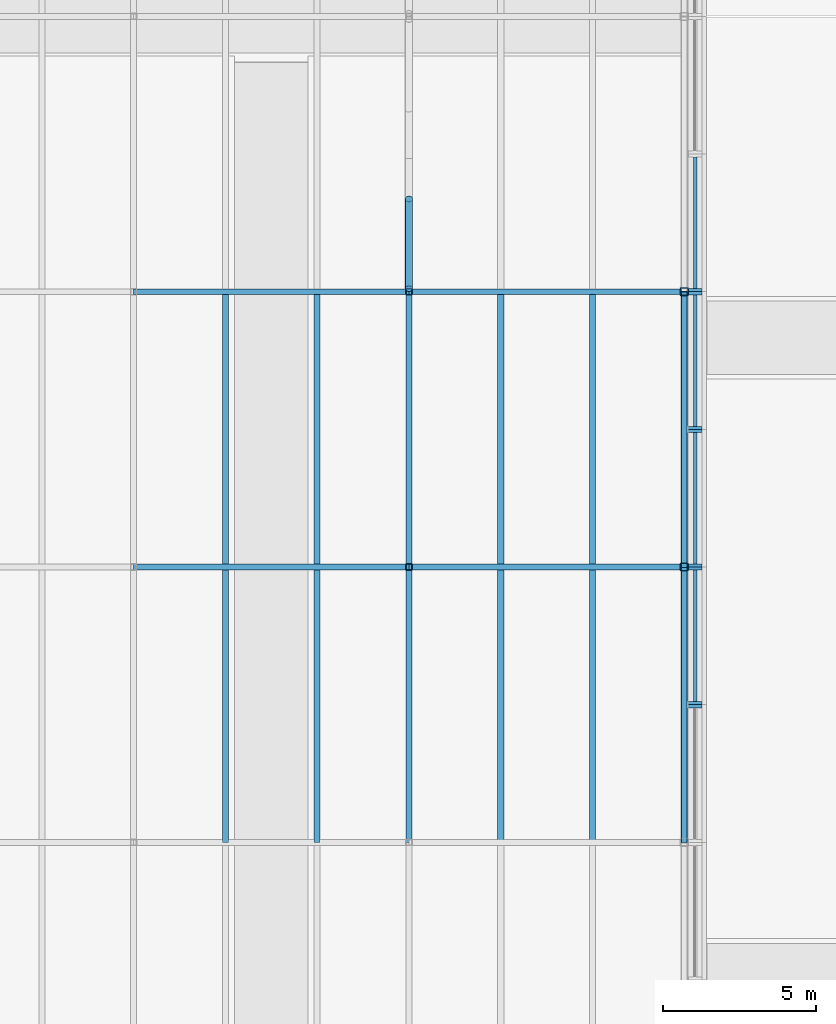
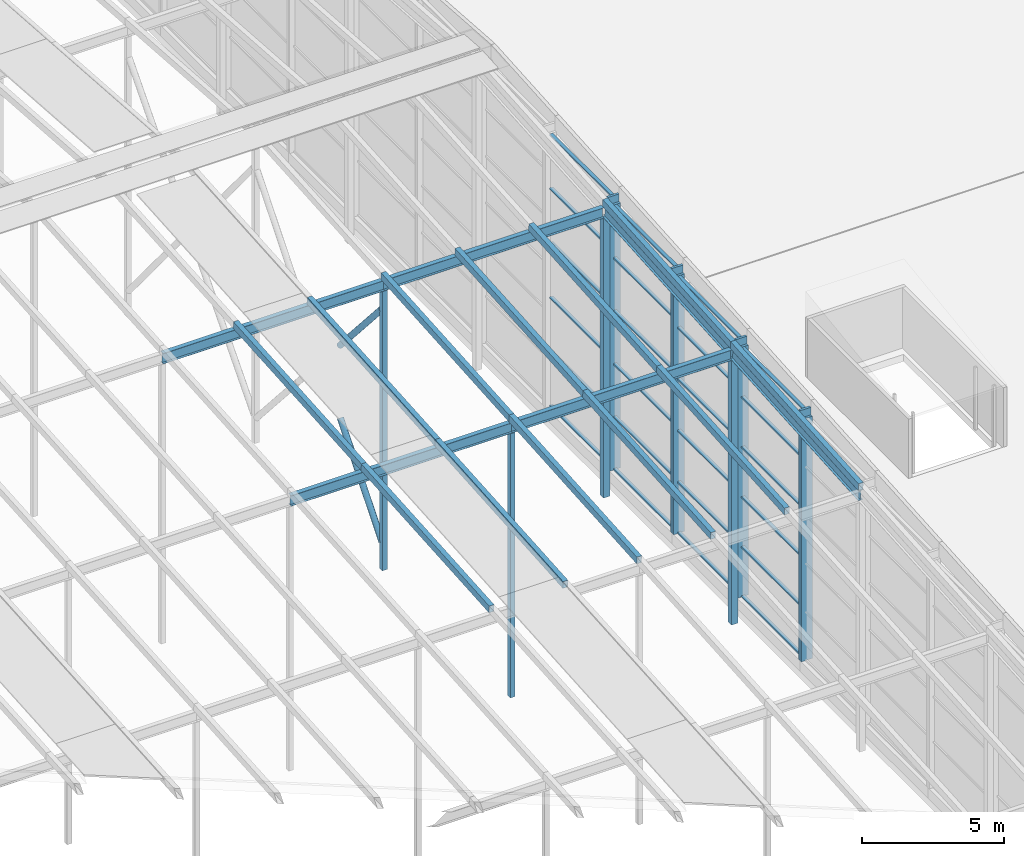
# One storey, part 27 of 84: 50 members, 6 beams, 5 elements without a shape of their own.
"""IFC4 building model written with IfcOpenShell, lengths in metres."""

from ifc_helpers import new_model, si_unit, direction, frame, origin, origin_2d, place, context, subcontext, project, spatial, rectangle, hollow_rectangle, hollow_circle, i_section, extrude, material, material_profile, profile_set, type_object, element, aggregate, save


model = new_model("IFC4")

# Units and contexts
model_context = context("Model", 3, precision=1e-05, world=origin(), true_north=direction((0.0, 1.0)))
body_context = subcontext(model_context, "Body", "Model", "MODEL_VIEW")
ifc_project = project(units=[si_unit("LENGTHUNIT", "METRE"), si_unit("AREAUNIT", "SQUARE_METRE"), si_unit("VOLUMEUNIT", "CUBIC_METRE"), si_unit("PLANEANGLEUNIT", "RADIAN"), si_unit("MASSUNIT", "GRAM", prefix="KILO")], contexts=[model_context])

# Site, building, storey
site_placement = place(None, origin())
site = spatial("IfcSite", under=ifc_project, at=site_placement, CompositionType="ELEMENT")
building_placement = place(site_placement, origin())
building = spatial("IfcBuilding", under=site, at=building_placement, Name="Silverbay Arena", CompositionType="ELEMENT")
storey_placement = place(building_placement, frame((0.0, 0.0, 47.10009765625)))
storey = spatial("IfcBuildingStorey", under=building, at=storey_placement, Name="ROOF", CompositionType="ELEMENT", Elevation=47.10009765625)

# Curtain wall, member
ifc_material_1 = material(Name="Aluminium framed glazing", Category="aluminium")
curtain_wall_type_1 = type_object("IfcCurtainWallType", Name="Curtain wall crown 4500 x 10400", PredefinedType="NOTDEFINED", material=ifc_material_1)
curtain_wall_1_placement = place(storey_placement, origin())
curtain_wall_1 = element("IfcCurtainWall", 1, at=curtain_wall_1_placement, inside=storey, type_object=curtain_wall_type_1, Name="ROOF CROWN CURTAIN WALL east bay 08", PredefinedType="NOTDEFINED")
ifc_material_2 = material(Name="Aluminium", Category="aluminium")
ifc_material_profile_1 = material_profile(ifc_material_2, rectangle(XDim=0.449951171875, YDim=0.10009765625, at=origin_2d()), Name="Mullion 100 x 450")
ifc_profile_set_1 = profile_set([ifc_material_profile_1], Name="Aluminium")
member_type_1 = type_object("IfcMemberType", Name="Mullion 100 x 450", PredefinedType="MULLION", material=ifc_profile_set_1)
placement = place(building_placement, frame((0.0, 0.0, 33.5)))
member_1_placement = place(placement, frame((180.35009765625, 58.449951171875, 14.050048828125), z_axis=(0.0, 0.0, 1.0), x_axis=(-1.0, 0.0, 0.0)))
member_1 = element("IfcMember", 2, at=member_1_placement, type_object=member_type_1, Name="CW70 mullion 2", PredefinedType="MULLION", context=body_context, shape_type="SweptSolid", body=[
    extrude(rectangle(XDim=0.449951171875, YDim=0.10009765625, at=origin_2d()), origin(), (0.0, 0.0, 1.0), 10.39990234375),
])
aggregate(curtain_wall_1, [member_1])

# Curtain wall, members
ifc_material_3 = material(Name="Aluminium framed glazing", Category="aluminium")
curtain_wall_type_2 = type_object("IfcCurtainWallType", Name="Curtain wall crown 4500 x 10725", PredefinedType="NOTDEFINED", material=ifc_material_3)
curtain_wall_2_placement = place(storey_placement, origin())
curtain_wall_2 = element("IfcCurtainWall", 3, at=curtain_wall_2_placement, inside=storey, type_object=curtain_wall_type_2, Name="ROOF CROWN CURTAIN WALL east bay 09", PredefinedType="NOTDEFINED")
member_2_placement = place(placement, frame((180.35009765625, 58.550048828125, 14.050048828125), z_axis=(0.0, 0.0, 1.0), x_axis=(-1.0, 0.0, 0.0)))
member_2 = element("IfcMember", 4, at=member_2_placement, type_object=member_type_1, Name="CW71 mullion 1", PredefinedType="MULLION", context=body_context, shape_type="SweptSolid", body=[
    extrude(rectangle(XDim=0.449951171875, YDim=0.10009765625, at=origin_2d()), origin(), (0.0, 0.0, 1.0), 10.724853515625),
])
member_3_placement = place(placement, frame((180.35009765625, 62.949951171875, 14.050048828125), z_axis=(0.0, 0.0, 1.0), x_axis=(-1.0, 0.0, 0.0)))
member_3 = element("IfcMember", 5, at=member_3_placement, type_object=member_type_1, Name="CW71 mullion 2", PredefinedType="MULLION", context=body_context, shape_type="SweptSolid", body=[
    extrude(rectangle(XDim=0.449951171875, YDim=0.10009765625, at=origin_2d()), origin(), (0.0, 0.0, 1.0), 10.724853515625),
])

ifc_material_4 = material(Name="Aluminium framed glazing", Category="aluminium")
curtain_wall_type_3 = type_object("IfcCurtainWallType", Name="Curtain wall crown 4500 x 11050", PredefinedType="NOTDEFINED", material=ifc_material_4)
curtain_wall_3_placement = place(storey_placement, origin())
curtain_wall_3 = element("IfcCurtainWall", 6, at=curtain_wall_3_placement, inside=storey, type_object=curtain_wall_type_3, Name="ROOF CROWN CURTAIN WALL east bay 10", PredefinedType="NOTDEFINED")
member_4_placement = place(placement, frame((180.35009765625, 63.050048828125, 14.050048828125), z_axis=(0.0, 0.0, 1.0), x_axis=(-1.0, 0.0, 0.0)))
member_4 = element("IfcMember", 7, at=member_4_placement, type_object=member_type_1, Name="CW72 mullion 1", PredefinedType="MULLION", context=body_context, shape_type="SweptSolid", body=[
    extrude(rectangle(XDim=0.449951171875, YDim=0.10009765625, at=origin_2d()), origin(), (0.0, 0.0, 1.0), 11.050048828125),
])
member_5_placement = place(placement, frame((180.35009765625, 67.449951171875, 14.050048828125), z_axis=(0.0, 0.0, 1.0), x_axis=(-1.0, 0.0, 0.0)))
member_5 = element("IfcMember", 8, at=member_5_placement, type_object=member_type_1, Name="CW72 mullion 2", PredefinedType="MULLION", context=body_context, shape_type="SweptSolid", body=[
    extrude(rectangle(XDim=0.449951171875, YDim=0.10009765625, at=origin_2d()), origin(), (0.0, 0.0, 1.0), 11.050048828125),
])

ifc_material_5 = material(Name="Aluminium framed glazing", Category="aluminium")
curtain_wall_type_4 = type_object("IfcCurtainWallType", Name="Curtain wall crown 4500 x 11375", PredefinedType="NOTDEFINED", material=ifc_material_5)
curtain_wall_4_placement = place(storey_placement, origin())
curtain_wall_4 = element("IfcCurtainWall", 9, at=curtain_wall_4_placement, inside=storey, type_object=curtain_wall_type_4, Name="ROOF CROWN CURTAIN WALL east bay 11", PredefinedType="NOTDEFINED")
member_6_placement = place(placement, frame((180.35009765625, 67.550048828125, 14.050048828125), z_axis=(0.0, 0.0, 1.0), x_axis=(-1.0, 0.0, 0.0)))
member_6 = element("IfcMember", 10, at=member_6_placement, type_object=member_type_1, Name="CW73 mullion 1", PredefinedType="MULLION", context=body_context, shape_type="SweptSolid", body=[
    extrude(rectangle(XDim=0.449951171875, YDim=0.10009765625, at=origin_2d()), origin(), (0.0, 0.0, 1.0), 11.375),
])
member_7_placement = place(placement, frame((180.35009765625, 71.949951171875, 14.050048828125), z_axis=(0.0, 0.0, 1.0), x_axis=(-1.0, 0.0, 0.0)))
member_7 = element("IfcMember", 11, at=member_7_placement, type_object=member_type_1, Name="CW73 mullion 2", PredefinedType="MULLION", context=body_context, shape_type="SweptSolid", body=[
    extrude(rectangle(XDim=0.449951171875, YDim=0.10009765625, at=origin_2d()), origin(), (0.0, 0.0, 1.0), 11.375),
])

# Curtain wall, member
ifc_material_6 = material(Name="Aluminium framed glazing", Category="aluminium")
curtain_wall_type_5 = type_object("IfcCurtainWallType", Name="Curtain wall crown 4500 x 11700", PredefinedType="NOTDEFINED", material=ifc_material_6)
curtain_wall_5_placement = place(storey_placement, origin())
curtain_wall_5 = element("IfcCurtainWall", 12, at=curtain_wall_5_placement, inside=storey, type_object=curtain_wall_type_5, Name="ROOF CROWN CURTAIN WALL east bay 12", PredefinedType="NOTDEFINED")
member_8_placement = place(placement, frame((180.35009765625, 72.050048828125, 14.050048828125), z_axis=(0.0, 0.0, 1.0), x_axis=(-1.0, 0.0, 0.0)))
member_8 = element("IfcMember", 13, at=member_8_placement, type_object=member_type_1, Name="CW74 mullion 1", PredefinedType="MULLION", context=body_context, shape_type="SweptSolid", body=[
    extrude(rectangle(XDim=0.449951171875, YDim=0.10009765625, at=origin_2d()), origin(), (0.0, 0.0, 1.0), 11.699951171875),
])

# Members
ifc_material_7 = material(Name="Steel S355", Category="steel")
ifc_material_profile_2 = material_profile(ifc_material_7, hollow_rectangle(XDim=0.199951171875, YDim=0.300048828125, WallThickness=0.00634765625, at=origin_2d()), Name="RHS 300x200x6.3")
ifc_profile_set_2 = profile_set([ifc_material_profile_2], Name="Steel S355")
member_type_2 = type_object("IfcMemberType", Name="Purlin RHS 300x200x6.3", PredefinedType="PURLIN", material=ifc_profile_set_2)
for number, where, z_axis, x_axis, name in (
    (14, (165.0, 54.0, 10.699462890625), (0.0, 0.997400967367, 0.07205074805), (-1.0, 0.0, 0.0), "ROOF PURLIN crown line 29 bay 04"),
    (15, (165.0, 63.0, 11.349609375), (0.0, 0.997402911363, 0.072023832195), (-1.0, 0.0, 0.0), "ROOF PURLIN crown line 29 bay 05"),
    (16, (168.0, 54.0, 10.699462890625), (0.0, 0.997400967367, 0.07205074805), (-1.0, 0.0, 0.0), "ROOF PURLIN crown line 30 bay 04"),
    (17, (168.0, 63.0, 11.349609375), (0.0, 0.997402911363, 0.072023832195), (-1.0, 0.0, 0.0), "ROOF PURLIN crown line 30 bay 05"),
    (18, (171.0, 54.0, 10.699462890625), (0.0, 0.997400967367, 0.07205074805), (-1.0, 0.0, 0.0), "ROOF PURLIN crown line 31 bay 04"),
    (19, (171.0, 63.0, 11.349609375), (0.0, 0.997402911363, 0.072023832195), (-1.0, 0.0, 0.0), "ROOF PURLIN crown line 31 bay 05"),
    (20, (174.0, 54.0, 10.699462890625), (0.0, 0.997400967367, 0.07205074805), (-1.0, 0.0, 0.0), "ROOF PURLIN crown line 32 bay 04"),
    (21, (174.0, 63.0, 11.349609375), (0.0, 0.997402911363, 0.072023832195), (-1.0, 0.0, 0.0), "ROOF PURLIN crown line 32 bay 05"),
    (22, (177.0, 54.0, 10.699462890625), (0.0, 0.997400967367, 0.07205074805), (-1.0, 0.0, 0.0), "ROOF PURLIN crown line 33 bay 04"),
    (23, (177.0, 63.0, 11.349609375), (0.0, 0.997402911363, 0.072023832195), (-1.0, 0.0, 0.0), "ROOF PURLIN crown line 33 bay 05"),
):
    element("IfcMember", number, at=place(storey_placement, frame(where, z_axis=z_axis, x_axis=x_axis)), inside=storey, type_object=member_type_2, Name=name, PredefinedType="PURLIN", context=body_context, shape_type="SweptSolid", body=[
        extrude(hollow_rectangle(XDim=0.199951171875, YDim=0.300048828125, WallThickness=0.00634765625, at=origin_2d()), origin(), (0.0, 0.0, 1.0), 9.0234375),
    ])
ifc_material_8 = material(Name="Steel S355", Category="steel")
ifc_material_profile_3 = material_profile(ifc_material_8, hollow_rectangle(XDim=0.199951171875, YDim=0.300048828125, WallThickness=0.008056640625, at=origin_2d()), Name="RHS 300x200x8")
ifc_profile_set_3 = profile_set([ifc_material_profile_3], Name="Steel S355")
member_type_3 = type_object("IfcMemberType", Name="Purlin RHS 300x200x8", PredefinedType="PURLIN", material=ifc_profile_set_3)
for number, where, z_axis, x_axis, name in (
    (24, (180.0, 54.0, 10.699462890625), (0.0, 0.997400967367, 0.07205074805), (-1.0, 0.0, 0.0), "ROOF PURLIN crown line 34 bay 04"),
    (25, (180.0, 63.0, 11.349609375), (0.0, 0.997402911363, 0.072023832195), (-1.0, 0.0, 0.0), "ROOF PURLIN crown line 34 bay 05"),
):
    element("IfcMember", number, at=place(storey_placement, frame(where, z_axis=z_axis, x_axis=x_axis)), inside=storey, type_object=member_type_3, Name=name, PredefinedType="PURLIN", context=body_context, shape_type="SweptSolid", body=[
        extrude(hollow_rectangle(XDim=0.199951171875, YDim=0.300048828125, WallThickness=0.008056640625, at=origin_2d()), origin(), (0.0, 0.0, 1.0), 9.0234375),
    ])

# Beams
ifc_material_9 = material(Name="Steel S355", Category="steel")
ifc_material_profile_4 = material_profile(ifc_material_9, i_section(OverallWidth=0.18994140625, OverallDepth=0.453369140625, WebThickness=0.008544921875, FlangeThickness=0.0126953125, at=origin_2d()), Name="UB 457x191x67")
ifc_profile_set_4 = profile_set([ifc_material_profile_4], Name="Steel S355")
beam_type = type_object("IfcBeamType", Name="Ring beam UB 457x191x67", PredefinedType="BEAM", material=ifc_profile_set_4)
beam_1_placement = place(storey_placement, frame((162.0, 63.0, 10.972412109375), z_axis=(1.0, 0.0, 0.0), x_axis=(0.0, 1.0, 0.0)))
element("IfcBeam", 26, at=beam_1_placement, inside=storey, type_object=beam_type, Name="RING BEAM crown row 05 19-20", PredefinedType="BEAM", context=body_context, shape_type="SweptSolid", body=[
    extrude(i_section(OverallWidth=0.18994140625, OverallDepth=0.453369140625, WebThickness=0.008544921875, FlangeThickness=0.0126953125, at=origin_2d()), origin(), (0.0, 0.0, 1.0), 9.0),
])
beam_2_placement = place(storey_placement, frame((171.0, 63.0, 10.972412109375), z_axis=(1.0, 0.0, 0.0), x_axis=(0.0, 1.0, 0.0)))
element("IfcBeam", 27, at=beam_2_placement, inside=storey, type_object=beam_type, Name="RING BEAM crown row 05 20-21", PredefinedType="BEAM", context=body_context, shape_type="SweptSolid", body=[
    extrude(i_section(OverallWidth=0.18994140625, OverallDepth=0.453369140625, WebThickness=0.008544921875, FlangeThickness=0.0126953125, at=origin_2d()), origin(), (0.0, 0.0, 1.0), 8.905029296875),
])
beam_3_placement = place(storey_placement, frame((162.0, 72.0, 11.622314453125), z_axis=(1.0, 0.0, 0.0), x_axis=(0.0, 1.0, 0.0)))
element("IfcBeam", 28, at=beam_3_placement, inside=storey, type_object=beam_type, Name="RING BEAM crown row 06 19-20", PredefinedType="BEAM", context=body_context, shape_type="SweptSolid", body=[
    extrude(i_section(OverallWidth=0.18994140625, OverallDepth=0.453369140625, WebThickness=0.008544921875, FlangeThickness=0.0126953125, at=origin_2d()), origin(), (0.0, 0.0, 1.0), 9.0),
])
beam_4_placement = place(storey_placement, frame((171.0, 72.0, 11.622314453125), z_axis=(1.0, 0.0, 0.0), x_axis=(0.0, 1.0, 0.0)))
element("IfcBeam", 29, at=beam_4_placement, inside=storey, type_object=beam_type, Name="RING BEAM crown row 06 20-21", PredefinedType="BEAM", context=body_context, shape_type="SweptSolid", body=[
    extrude(i_section(OverallWidth=0.18994140625, OverallDepth=0.453369140625, WebThickness=0.008544921875, FlangeThickness=0.0126953125, at=origin_2d()), origin(), (0.0, 0.0, 1.0), 8.905029296875),
])
for number, where, z_axis, x_axis, name in (
    (30, (180.0, 54.0, 10.322509765625), (0.0, 0.997402911363, 0.072023832195), (-1.0, 0.0, 0.0), "RING BEAM crown east edge 04"),
    (31, (180.0, 63.0, 10.972412109375), (0.0, 0.997402911363, 0.072023832195), (-1.0, 0.0, 0.0), "RING BEAM crown east edge 05"),
):
    element("IfcBeam", number, at=place(storey_placement, frame(where, z_axis=z_axis, x_axis=x_axis)), inside=storey, type_object=beam_type, Name=name, PredefinedType="BEAM", context=body_context, shape_type="SweptSolid", body=[
        extrude(i_section(OverallWidth=0.18994140625, OverallDepth=0.453369140625, WebThickness=0.008544921875, FlangeThickness=0.0126953125, at=origin_2d()), origin(), (0.0, 0.0, 1.0), 9.0234375),
    ])

# Members
ifc_material_10 = material(Name="Steel S355", Category="steel")
ifc_material_profile_5 = material_profile(ifc_material_10, hollow_rectangle(XDim=0.199951171875, YDim=0.199951171875, WallThickness=0.008056640625, at=origin_2d()), Name="SHS 200x200x8")
ifc_profile_set_5 = profile_set([ifc_material_profile_5], Name="Steel S355")
member_type_4 = type_object("IfcMemberType", Name="Roof post SHS 200x200x8", PredefinedType="POST", material=ifc_profile_set_5)
member_9_placement = place(storey_placement, frame((171.0, 63.0, -0.60009765625), z_axis=(0.0, 0.0, 1.0), x_axis=(1.0, 0.0, 0.0)))
element("IfcMember", 32, at=member_9_placement, inside=storey, type_object=member_type_4, Name="ROOF CROWN POST 20 row 05", PredefinedType="POST", context=body_context, shape_type="SweptSolid", body=[
    extrude(hollow_rectangle(XDim=0.199951171875, YDim=0.199951171875, WallThickness=0.008056640625, at=origin_2d()), origin(), (0.0, 0.0, 1.0), 11.345703125),
])
member_10_placement = place(storey_placement, frame((171.0, 72.0, -0.60009765625), z_axis=(0.0, 0.0, 1.0), x_axis=(1.0, 0.0, 0.0)))
element("IfcMember", 33, at=member_10_placement, inside=storey, type_object=member_type_4, Name="ROOF CROWN POST 20 row 06", PredefinedType="POST", context=body_context, shape_type="SweptSolid", body=[
    extrude(hollow_rectangle(XDim=0.199951171875, YDim=0.199951171875, WallThickness=0.008056640625, at=origin_2d()), origin(), (0.0, 0.0, 1.0), 11.995849609375),
])
ifc_material_11 = material(Name="Steel S355", Category="steel")
ifc_material_profile_6 = material_profile(ifc_material_11, hollow_rectangle(XDim=0.25, YDim=0.25, WallThickness=0.008056640625, at=origin_2d()), Name="SHS 250x250x8")
ifc_profile_set_6 = profile_set([ifc_material_profile_6], Name="Steel S355")
member_type_5 = type_object("IfcMemberType", Name="Roof post SHS 250x250x8", PredefinedType="POST", material=ifc_profile_set_6)
member_11_placement = place(storey_placement, frame((180.0, 63.0, -0.60009765625), z_axis=(0.0, 0.0, 1.0), x_axis=(1.0, 0.0, 0.0)))
element("IfcMember", 34, at=member_11_placement, inside=storey, type_object=member_type_5, Name="ROOF CROWN POST 21 row 05", PredefinedType="POST", context=body_context, shape_type="SweptSolid", body=[
    extrude(hollow_rectangle(XDim=0.25, YDim=0.25, WallThickness=0.008056640625, at=origin_2d()), origin(), (0.0, 0.0, 1.0), 11.345703125),
])
member_12_placement = place(storey_placement, frame((180.0, 72.0, -0.60009765625), z_axis=(0.0, 0.0, 1.0), x_axis=(1.0, 0.0, 0.0)))
element("IfcMember", 35, at=member_12_placement, inside=storey, type_object=member_type_5, Name="ROOF CROWN POST 21 row 06", PredefinedType="POST", context=body_context, shape_type="SweptSolid", body=[
    extrude(hollow_rectangle(XDim=0.25, YDim=0.25, WallThickness=0.008056640625, at=origin_2d()), origin(), (0.0, 0.0, 1.0), 11.995849609375),
])

# Member
ifc_material_12 = material(Name="Aluminium", Category="aluminium")
ifc_material_profile_7 = material_profile(ifc_material_12, rectangle(XDim=0.139892578125, YDim=0.06005859375, at=origin_2d()), Name="Transom 60 x 140")
ifc_profile_set_7 = profile_set([ifc_material_profile_7], Name="Aluminium")
member_type_6 = type_object("IfcMemberType", Name="Transom 60 x 140", PredefinedType="USERDEFINED", material=ifc_profile_set_7)
member_13_placement = place(placement, frame((180.35009765625, 58.60009765625, 14.080078125), z_axis=(0.0, 1.0, 0.0), x_axis=(-1.0, 0.0, 0.0)))
member_13 = element("IfcMember", 36, at=member_13_placement, type_object=member_type_6, Name="CW71 transom 1.1", ObjectType="TRANSOM", PredefinedType="USERDEFINED", context=body_context, shape_type="SweptSolid", body=[
    extrude(rectangle(XDim=0.139892578125, YDim=0.06005859375, at=origin_2d()), origin(), (0.0, 0.0, 1.0), 4.2998046875),
])

member_14_placement = place(placement, frame((180.35009765625, 58.60009765625, 16.195068359375), z_axis=(0.0, 1.0, 0.0), x_axis=(-1.0, 0.0, 0.0)))
member_14 = element("IfcMember", 37, at=member_14_placement, type_object=member_type_6, Name="CW71 transom 1.2", ObjectType="TRANSOM", PredefinedType="USERDEFINED", context=body_context, shape_type="SweptSolid", body=[
    extrude(rectangle(XDim=0.139892578125, YDim=0.06005859375, at=origin_2d()), origin(), (0.0, 0.0, 1.0), 4.2998046875),
])

member_15_placement = place(placement, frame((180.35009765625, 58.60009765625, 18.340087890625), z_axis=(0.0, 1.0, 0.0), x_axis=(-1.0, 0.0, 0.0)))
member_15 = element("IfcMember", 38, at=member_15_placement, type_object=member_type_6, Name="CW71 transom 1.3", ObjectType="TRANSOM", PredefinedType="USERDEFINED", context=body_context, shape_type="SweptSolid", body=[
    extrude(rectangle(XDim=0.139892578125, YDim=0.06005859375, at=origin_2d()), origin(), (0.0, 0.0, 1.0), 4.2998046875),
])

member_16_placement = place(placement, frame((180.35009765625, 58.60009765625, 20.485107421875), z_axis=(0.0, 1.0, 0.0), x_axis=(-1.0, 0.0, 0.0)))
member_16 = element("IfcMember", 39, at=member_16_placement, type_object=member_type_6, Name="CW71 transom 1.4", ObjectType="TRANSOM", PredefinedType="USERDEFINED", context=body_context, shape_type="SweptSolid", body=[
    extrude(rectangle(XDim=0.139892578125, YDim=0.06005859375, at=origin_2d()), origin(), (0.0, 0.0, 1.0), 4.2998046875),
])

member_17_placement = place(placement, frame((180.35009765625, 58.60009765625, 22.6298828125), z_axis=(0.0, 1.0, 0.0), x_axis=(-1.0, 0.0, 0.0)))
member_17 = element("IfcMember", 40, at=member_17_placement, type_object=member_type_6, Name="CW71 transom 1.5", ObjectType="TRANSOM", PredefinedType="USERDEFINED", context=body_context, shape_type="SweptSolid", body=[
    extrude(rectangle(XDim=0.139892578125, YDim=0.06005859375, at=origin_2d()), origin(), (0.0, 0.0, 1.0), 4.2998046875),
])

member_18_placement = place(placement, frame((180.35009765625, 58.60009765625, 24.7451171875), z_axis=(0.0, 1.0, 0.0), x_axis=(-1.0, 0.0, 0.0)))
member_18 = element("IfcMember", 41, at=member_18_placement, type_object=member_type_6, Name="CW71 transom 1.6", ObjectType="TRANSOM", PredefinedType="USERDEFINED", context=body_context, shape_type="SweptSolid", body=[
    extrude(rectangle(XDim=0.139892578125, YDim=0.06005859375, at=origin_2d()), origin(), (0.0, 0.0, 1.0), 4.2998046875),
])

aggregate(curtain_wall_2, [member_2, member_3, member_13, member_14, member_15, member_16, member_17, member_18])

member_19_placement = place(placement, frame((180.35009765625, 63.10009765625, 14.080078125), z_axis=(0.0, 1.0, 0.0), x_axis=(-1.0, 0.0, 0.0)))
member_19 = element("IfcMember", 42, at=member_19_placement, type_object=member_type_6, Name="CW72 transom 1.1", ObjectType="TRANSOM", PredefinedType="USERDEFINED", context=body_context, shape_type="SweptSolid", body=[
    extrude(rectangle(XDim=0.139892578125, YDim=0.06005859375, at=origin_2d()), origin(), (0.0, 0.0, 1.0), 4.2998046875),
])

member_20_placement = place(placement, frame((180.35009765625, 63.10009765625, 16.260009765625), z_axis=(0.0, 1.0, 0.0), x_axis=(-1.0, 0.0, 0.0)))
member_20 = element("IfcMember", 43, at=member_20_placement, type_object=member_type_6, Name="CW72 transom 1.2", ObjectType="TRANSOM", PredefinedType="USERDEFINED", context=body_context, shape_type="SweptSolid", body=[
    extrude(rectangle(XDim=0.139892578125, YDim=0.06005859375, at=origin_2d()), origin(), (0.0, 0.0, 1.0), 4.2998046875),
])

member_21_placement = place(placement, frame((180.35009765625, 63.10009765625, 18.469970703125), z_axis=(0.0, 1.0, 0.0), x_axis=(-1.0, 0.0, 0.0)))
member_21 = element("IfcMember", 44, at=member_21_placement, type_object=member_type_6, Name="CW72 transom 1.3", ObjectType="TRANSOM", PredefinedType="USERDEFINED", context=body_context, shape_type="SweptSolid", body=[
    extrude(rectangle(XDim=0.139892578125, YDim=0.06005859375, at=origin_2d()), origin(), (0.0, 0.0, 1.0), 4.2998046875),
])

member_22_placement = place(placement, frame((180.35009765625, 63.10009765625, 20.679931640625), z_axis=(0.0, 1.0, 0.0), x_axis=(-1.0, 0.0, 0.0)))
member_22 = element("IfcMember", 45, at=member_22_placement, type_object=member_type_6, Name="CW72 transom 1.4", ObjectType="TRANSOM", PredefinedType="USERDEFINED", context=body_context, shape_type="SweptSolid", body=[
    extrude(rectangle(XDim=0.139892578125, YDim=0.06005859375, at=origin_2d()), origin(), (0.0, 0.0, 1.0), 4.2998046875),
])

member_23_placement = place(placement, frame((180.35009765625, 63.10009765625, 22.889892578125), z_axis=(0.0, 1.0, 0.0), x_axis=(-1.0, 0.0, 0.0)))
member_23 = element("IfcMember", 46, at=member_23_placement, type_object=member_type_6, Name="CW72 transom 1.5", ObjectType="TRANSOM", PredefinedType="USERDEFINED", context=body_context, shape_type="SweptSolid", body=[
    extrude(rectangle(XDim=0.139892578125, YDim=0.06005859375, at=origin_2d()), origin(), (0.0, 0.0, 1.0), 4.2998046875),
])

member_24_placement = place(placement, frame((180.35009765625, 63.10009765625, 25.070068359375), z_axis=(0.0, 1.0, 0.0), x_axis=(-1.0, 0.0, 0.0)))
member_24 = element("IfcMember", 47, at=member_24_placement, type_object=member_type_6, Name="CW72 transom 1.6", ObjectType="TRANSOM", PredefinedType="USERDEFINED", context=body_context, shape_type="SweptSolid", body=[
    extrude(rectangle(XDim=0.139892578125, YDim=0.06005859375, at=origin_2d()), origin(), (0.0, 0.0, 1.0), 4.2998046875),
])

aggregate(curtain_wall_3, [member_4, member_5, member_19, member_20, member_21, member_22, member_23, member_24])

member_25_placement = place(placement, frame((180.35009765625, 67.60009765625, 14.080078125), z_axis=(0.0, 1.0, 0.0), x_axis=(-1.0, 0.0, 0.0)))
member_25 = element("IfcMember", 48, at=member_25_placement, type_object=member_type_6, Name="CW73 transom 1.1", ObjectType="TRANSOM", PredefinedType="USERDEFINED", context=body_context, shape_type="SweptSolid", body=[
    extrude(rectangle(XDim=0.139892578125, YDim=0.06005859375, at=origin_2d()), origin(), (0.0, 0.0, 1.0), 4.2998046875),
])

member_26_placement = place(placement, frame((180.35009765625, 67.60009765625, 16.324951171875), z_axis=(0.0, 1.0, 0.0), x_axis=(-1.0, 0.0, 0.0)))
member_26 = element("IfcMember", 49, at=member_26_placement, type_object=member_type_6, Name="CW73 transom 1.2", ObjectType="TRANSOM", PredefinedType="USERDEFINED", context=body_context, shape_type="SweptSolid", body=[
    extrude(rectangle(XDim=0.139892578125, YDim=0.06005859375, at=origin_2d()), origin(), (0.0, 0.0, 1.0), 4.2998046875),
])

member_27_placement = place(placement, frame((180.35009765625, 67.60009765625, 18.60009765625), z_axis=(0.0, 1.0, 0.0), x_axis=(-1.0, 0.0, 0.0)))
member_27 = element("IfcMember", 50, at=member_27_placement, type_object=member_type_6, Name="CW73 transom 1.3", ObjectType="TRANSOM", PredefinedType="USERDEFINED", context=body_context, shape_type="SweptSolid", body=[
    extrude(rectangle(XDim=0.139892578125, YDim=0.06005859375, at=origin_2d()), origin(), (0.0, 0.0, 1.0), 4.2998046875),
])

member_28_placement = place(placement, frame((180.35009765625, 67.60009765625, 20.875), z_axis=(0.0, 1.0, 0.0), x_axis=(-1.0, 0.0, 0.0)))
member_28 = element("IfcMember", 51, at=member_28_placement, type_object=member_type_6, Name="CW73 transom 1.4", ObjectType="TRANSOM", PredefinedType="USERDEFINED", context=body_context, shape_type="SweptSolid", body=[
    extrude(rectangle(XDim=0.139892578125, YDim=0.06005859375, at=origin_2d()), origin(), (0.0, 0.0, 1.0), 4.2998046875),
])

member_29_placement = place(placement, frame((180.35009765625, 67.60009765625, 23.14990234375), z_axis=(0.0, 1.0, 0.0), x_axis=(-1.0, 0.0, 0.0)))
member_29 = element("IfcMember", 52, at=member_29_placement, type_object=member_type_6, Name="CW73 transom 1.5", ObjectType="TRANSOM", PredefinedType="USERDEFINED", context=body_context, shape_type="SweptSolid", body=[
    extrude(rectangle(XDim=0.139892578125, YDim=0.06005859375, at=origin_2d()), origin(), (0.0, 0.0, 1.0), 4.2998046875),
])

member_30_placement = place(placement, frame((180.35009765625, 67.60009765625, 25.39501953125), z_axis=(0.0, 1.0, 0.0), x_axis=(-1.0, 0.0, 0.0)))
member_30 = element("IfcMember", 53, at=member_30_placement, type_object=member_type_6, Name="CW73 transom 1.6", ObjectType="TRANSOM", PredefinedType="USERDEFINED", context=body_context, shape_type="SweptSolid", body=[
    extrude(rectangle(XDim=0.139892578125, YDim=0.06005859375, at=origin_2d()), origin(), (0.0, 0.0, 1.0), 4.2998046875),
])

aggregate(curtain_wall_4, [member_6, member_7, member_25, member_26, member_27, member_28, member_29, member_30])

member_31_placement = place(placement, frame((180.35009765625, 72.10009765625, 14.080078125), z_axis=(0.0, 1.0, 0.0), x_axis=(-1.0, 0.0, 0.0)))
member_31 = element("IfcMember", 54, at=member_31_placement, type_object=member_type_6, Name="CW74 transom 1.1", ObjectType="TRANSOM", PredefinedType="USERDEFINED", context=body_context, shape_type="SweptSolid", body=[
    extrude(rectangle(XDim=0.139892578125, YDim=0.06005859375, at=origin_2d()), origin(), (0.0, 0.0, 1.0), 4.2998046875),
])

member_32_placement = place(placement, frame((180.35009765625, 72.10009765625, 16.389892578125), z_axis=(0.0, 1.0, 0.0), x_axis=(-1.0, 0.0, 0.0)))
member_32 = element("IfcMember", 55, at=member_32_placement, type_object=member_type_6, Name="CW74 transom 1.2", ObjectType="TRANSOM", PredefinedType="USERDEFINED", context=body_context, shape_type="SweptSolid", body=[
    extrude(rectangle(XDim=0.139892578125, YDim=0.06005859375, at=origin_2d()), origin(), (0.0, 0.0, 1.0), 4.2998046875),
])

member_33_placement = place(placement, frame((180.35009765625, 72.10009765625, 18.72998046875), z_axis=(0.0, 1.0, 0.0), x_axis=(-1.0, 0.0, 0.0)))
member_33 = element("IfcMember", 56, at=member_33_placement, type_object=member_type_6, Name="CW74 transom 1.3", ObjectType="TRANSOM", PredefinedType="USERDEFINED", context=body_context, shape_type="SweptSolid", body=[
    extrude(rectangle(XDim=0.139892578125, YDim=0.06005859375, at=origin_2d()), origin(), (0.0, 0.0, 1.0), 4.2998046875),
])

member_34_placement = place(placement, frame((180.35009765625, 72.10009765625, 21.070068359375), z_axis=(0.0, 1.0, 0.0), x_axis=(-1.0, 0.0, 0.0)))
member_34 = element("IfcMember", 57, at=member_34_placement, type_object=member_type_6, Name="CW74 transom 1.4", ObjectType="TRANSOM", PredefinedType="USERDEFINED", context=body_context, shape_type="SweptSolid", body=[
    extrude(rectangle(XDim=0.139892578125, YDim=0.06005859375, at=origin_2d()), origin(), (0.0, 0.0, 1.0), 4.2998046875),
])

member_35_placement = place(placement, frame((180.35009765625, 72.10009765625, 23.409912109375), z_axis=(0.0, 1.0, 0.0), x_axis=(-1.0, 0.0, 0.0)))
member_35 = element("IfcMember", 58, at=member_35_placement, type_object=member_type_6, Name="CW74 transom 1.5", ObjectType="TRANSOM", PredefinedType="USERDEFINED", context=body_context, shape_type="SweptSolid", body=[
    extrude(rectangle(XDim=0.139892578125, YDim=0.06005859375, at=origin_2d()), origin(), (0.0, 0.0, 1.0), 4.2998046875),
])

member_36_placement = place(placement, frame((180.35009765625, 72.10009765625, 25.719970703125), z_axis=(0.0, 1.0, 0.0), x_axis=(-1.0, 0.0, 0.0)))
member_36 = element("IfcMember", 59, at=member_36_placement, type_object=member_type_6, Name="CW74 transom 1.6", ObjectType="TRANSOM", PredefinedType="USERDEFINED", context=body_context, shape_type="SweptSolid", body=[
    extrude(rectangle(XDim=0.139892578125, YDim=0.06005859375, at=origin_2d()), origin(), (0.0, 0.0, 1.0), 4.2998046875),
])

aggregate(curtain_wall_5, [member_8, member_31, member_32, member_33, member_34, member_35, member_36])

# Members
ifc_material_13 = material(Name="Steel S355", Category="steel")
ifc_material_profile_8 = material_profile(ifc_material_13, hollow_circle(Radius=0.122314453125, WallThickness=0.00634765625, at=origin_2d()), Name="CHS 244.5x6.3")
ifc_profile_set_8 = profile_set([ifc_material_profile_8], Name="Steel S355")
member_type_7 = type_object("IfcMemberType", Name="Vertical bracing CHS 244.5x6.3", PredefinedType="BRACE", material=ifc_profile_set_8)
member_37_placement = place(storey_placement, frame((171.0, 72.10009765625, 0.5), z_axis=(0.0, 0.637388556794, 0.770542554093), x_axis=(-1.0, 0.0, 0.0)))
element("IfcMember", 60, at=member_37_placement, inside=storey, type_object=member_type_7, Name="ROOF CROWN BRACING E bay 06 Aa", PredefinedType="BRACE", context=body_context, shape_type="SweptSolid", body=[
    extrude(hollow_circle(Radius=0.122314453125, WallThickness=0.00634765625, at=origin_2d()), origin(), (0.0, 0.0, 1.0), 4.60205078125),
])
member_38_placement = place(storey_placement, frame((171.0, 72.10009765625, 10.5029296875), z_axis=(0.0, 0.660529984399, -0.750799666828), x_axis=(-1.0, 0.0, 0.0)))
element("IfcMember", 61, at=member_38_placement, inside=storey, type_object=member_type_7, Name="ROOF CROWN BRACING E bay 06 Ba", PredefinedType="BRACE", context=body_context, shape_type="SweptSolid", body=[
    extrude(hollow_circle(Radius=0.122314453125, WallThickness=0.00634765625, at=origin_2d()), origin(), (0.0, 0.0, 1.0), 4.44091796875),
])

save(model, "model.ifc")
